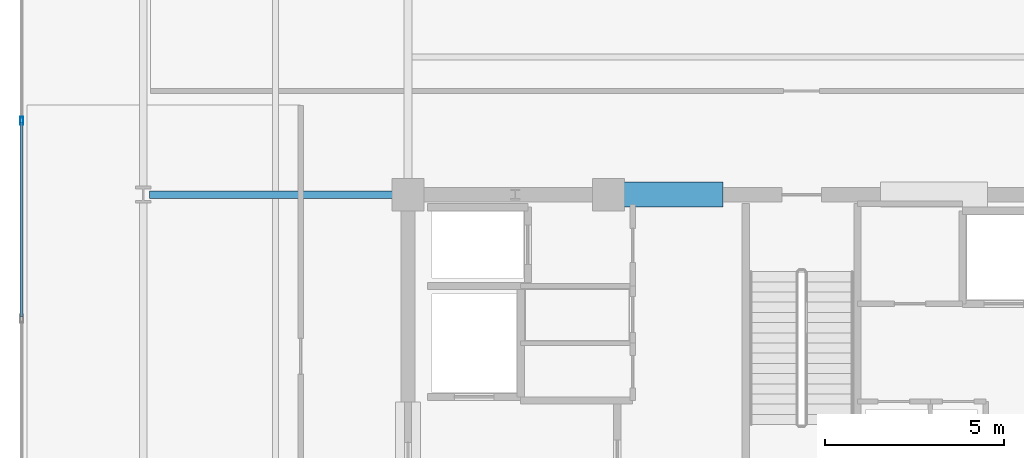
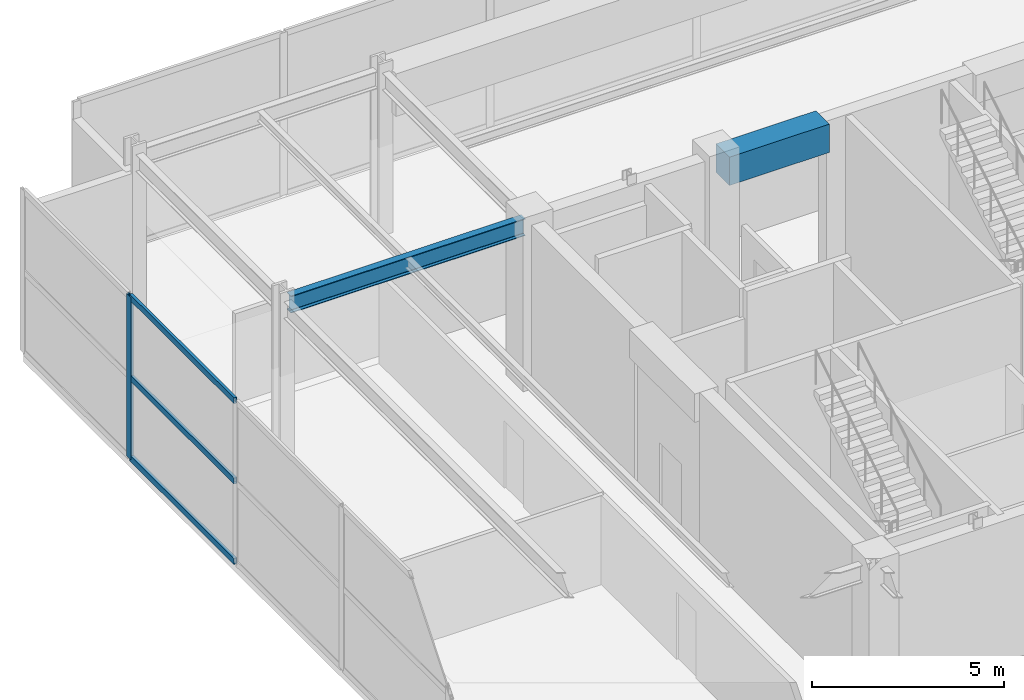
# One storey, part 8 of 24: 4 members, 2 beams, 1 element without a shape of its own.
"""IFC4 building model written with IfcOpenShell, lengths in metres."""

import ifcopenshell
import ifcopenshell.guid

model = None  # the IFC model being written
_history = None  # IfcOwnerHistory: only IFC2X3 demands one
_inside = {}  # id of a spatial element -> (the spatial element, [elements in it])
_under = {}  # id of a project, library or spatial element -> (it, [spatial elements below it])
_declared = {}  # id of a project -> (the project, [libraries it declares])
_typed = {}  # id of a type object -> (the type object, [elements of that type])
_made_of = {}  # id of a material, layer set ... -> (it, [elements and type objects made of it])


def new_model(schema):
    """Start an empty IFC model of exactly this schema.

    Asked for "IFC4X3", IfcOpenShell would pick the latest addendum, in which some entities
    have other attributes; the version numbers below select the first issue.
    IFC2X3 requires an IfcOwnerHistory on every rooted entity: one is made here for all.
    """
    global model, _history
    if schema == "IFC4X3":
        model = ifcopenshell.file(schema_version=(4, 3, 0, 0))
    else:
        model = ifcopenshell.file(schema=schema)
    _inside.clear()
    _under.clear()
    _declared.clear()
    _typed.clear()
    _made_of.clear()
    _history = None
    if model.schema == "IFC2X3":
        org = make("IfcOrganization", Name="unknown")
        user = make(
            "IfcPersonAndOrganization",
            ThePerson=make("IfcPerson", FamilyName="unknown"),
            TheOrganization=org,
        )
        app = make(
            "IfcApplication",
            ApplicationDeveloper=org,
            Version="unknown",
            ApplicationFullName="unknown",
            ApplicationIdentifier="unknown",
        )
        _history = make(
            "IfcOwnerHistory",
            OwningUser=user,
            OwningApplication=app,
            ChangeAction="ADDED",
            CreationDate=0,
        )
    return model


def make(cls, **values):
    """One entity of the class cls with the attributes given. An attribute that is None is left unset."""
    return model.create_entity(
        cls, **{name: value for name, value in values.items() if value is not None}
    )


def rooted(cls, **values):
    """An entity with a GlobalId (a new one), such as an element, a storey or a relation."""
    return make(cls, GlobalId=ifcopenshell.guid.new(), OwnerHistory=_history, **values)


def si_unit(unit_type, name, prefix=None):
    """IfcSIUnit, for example si_unit("LENGTHUNIT", "METRE", prefix="MILLI")."""
    return make("IfcSIUnit", UnitType=unit_type, Prefix=prefix, Name=name)


def assignment(units):
    """IfcUnitAssignment: the units of a project."""
    return None if units is None else make("IfcUnitAssignment", Units=units)


def point(xyz):
    """IfcCartesianPoint."""
    return None if xyz is None else make("IfcCartesianPoint", Coordinates=xyz)


def direction(xyz):
    """IfcDirection."""
    return None if xyz is None else make("IfcDirection", DirectionRatios=xyz)


def frame(location, z_axis=None, x_axis=None):
    """IfcAxis2Placement3D, a coordinate frame: its origin and axes. An axis left out is left unset."""
    return make(
        "IfcAxis2Placement3D",
        Location=point(location),
        Axis=direction(z_axis),
        RefDirection=direction(x_axis),
    )


def frame_2d(location, x_axis=None):
    """IfcAxis2Placement2D, a coordinate frame in the plane: its origin and x axis."""
    return make(
        "IfcAxis2Placement2D", Location=point(location), RefDirection=direction(x_axis)
    )


def origin():
    """The frame at (0, 0, 0) with its axes left unset."""
    return frame((0.0, 0.0, 0.0))


def origin_2d():
    """The frame at (0, 0) in the plane with its x axis left unset."""
    return frame_2d((0.0, 0.0))


def place(relative_to, where):
    """IfcLocalPlacement: puts the frame where relative to a parent placement (None: the world)."""
    return make(
        "IfcLocalPlacement", PlacementRelTo=relative_to, RelativePlacement=where
    )


def context(
    kind, dimensions, precision=None, world=None, true_north=None, identifier=None
):
    """IfcGeometricRepresentationContext, for example the 3D "Model" context."""
    return make(
        "IfcGeometricRepresentationContext",
        ContextIdentifier=identifier,
        ContextType=kind,
        CoordinateSpaceDimension=dimensions,
        Precision=precision,
        WorldCoordinateSystem=world,
        TrueNorth=true_north,
    )


def subcontext(parent, identifier, kind, view, scale=None):
    """IfcGeometricRepresentationSubContext, for example "Body" below "Model"."""
    return make(
        "IfcGeometricRepresentationSubContext",
        ContextIdentifier=identifier,
        ContextType=kind,
        ParentContext=parent,
        TargetScale=scale,
        TargetView=view,
    )


def project(units=None, contexts=None):
    """IfcProject with its units and contexts."""
    return rooted(
        "IfcProject",
        Name="project",
        RepresentationContexts=contexts,
        UnitsInContext=assignment(units),
    )


def spatial(cls, under=None, at=None, **own):
    """A site, building, storey or space (cls), placed at a placement, below another one or the project."""
    s = rooted(cls, ObjectPlacement=at, **own)
    if under is not None:
        _under.setdefault(under.id(), (under, []))[1].append(s)
    return s


def profile(cls, at=None, kind="AREA", **sizes):
    """A parametric profile (cls). Its sizes go by their IFC names, for example OverallWidth=200.0."""
    return make(cls, ProfileType=kind, Position=at, **sizes)


def rectangle(**sizes):
    """IfcRectangleProfileDef."""
    return profile("IfcRectangleProfileDef", **sizes)


def hollow_rectangle(**sizes):
    """IfcRectangleHollowProfileDef."""
    return profile("IfcRectangleHollowProfileDef", **sizes)


def i_section(**sizes):
    """IfcIShapeProfileDef."""
    return profile("IfcIShapeProfileDef", **sizes)


def extrude(swept, where, along, depth):
    """IfcExtrudedAreaSolid: the profile swept, set in the frame where, extruded along a direction by depth."""
    return make(
        "IfcExtrudedAreaSolid",
        SweptArea=swept,
        Position=where,
        ExtrudedDirection=direction(along),
        Depth=depth,
    )


def shape(context_of_items, identifier, shape_type, items):
    """IfcShapeRepresentation: the items that make up one representation, for example the "Body"."""
    return make(
        "IfcShapeRepresentation",
        ContextOfItems=context_of_items,
        RepresentationIdentifier=identifier,
        RepresentationType=shape_type,
        Items=items,
    )


def material(Name=None, Category=None):
    """IfcMaterial."""
    return make("IfcMaterial", Name=Name, Category=Category)


def material_profile(
    of_material, cross_section, Name=None, Category=None, Priority=None
):
    """IfcMaterialProfile: a cross section and its material."""
    return make(
        "IfcMaterialProfile",
        Name=Name,
        Material=of_material,
        Profile=cross_section,
        Priority=Priority,
        Category=Category,
    )


def profile_set(profiles, Name=None, composite=None):
    """IfcMaterialProfileSet."""
    return make(
        "IfcMaterialProfileSet",
        Name=Name,
        MaterialProfiles=profiles,
        CompositeProfile=composite,
    )


def made_of(thing, what):
    """Note that an element or type object is made of a material, layer set ...; save() writes the relation."""
    if what is not None:
        _made_of.setdefault(what.id(), (what, []))[1].append(thing)
    return thing


def type_object(cls, material=None, **own):
    """A type object (cls), such as IfcWallType, which elements share."""
    return made_of(rooted(cls, **own), material)


def element(
    cls,
    number,
    at=None,
    inside=None,
    cuts=None,
    type_object=None,
    material=None,
    context=None,
    identifier="Body",
    shape_type=None,
    held_by="IfcProductDefinitionShape",
    body=None,
    shapes=None,
    **own,
):
    """One element of the class cls, such as IfcWall. Its Tag is "e" and its number.

    at: its placement. inside: the storey or other place that contains it. cuts: it is an
    opening in that element (IfcRelVoidsElement). A single representation is given by context,
    identifier, shape_type and body (its items); several are given by shapes. held_by: the class
    of the entity that holds the representations. save() writes the other relations.
    """
    e = rooted(cls, Tag="e%d" % number, ObjectPlacement=at, **own)
    if body is not None:
        shapes = [shape(context, identifier, shape_type, body)]
    if shapes is not None:
        e.Representation = make(held_by, Representations=shapes)
    if inside is not None:
        _inside.setdefault(inside.id(), (inside, []))[1].append(e)
    if cuts is not None:
        rooted(
            "IfcRelVoidsElement", RelatingBuildingElement=cuts, RelatedOpeningElement=e
        )
    if type_object is not None:
        _typed.setdefault(type_object.id(), (type_object, []))[1].append(e)
    return made_of(e, material)


def aggregate(whole, parts):
    """IfcRelAggregates: a whole, such as a stair, and the parts it consists of."""
    return rooted("IfcRelAggregates", RelatingObject=whole, RelatedObjects=parts)


def save(model, path):
    """Write the relations noted so far, then the file.

    IfcRelAggregates (storeys below a building ...), IfcRelContainedInSpatialStructure (elements
    in a storey), IfcRelDefinesByType, IfcRelAssociatesMaterial and IfcRelDeclares: one each for
    every whole, place, type object, material and project.
    """
    for whole, parts in _under.values():
        aggregate(whole, parts)
    for where, things in _inside.values():
        rooted(
            "IfcRelContainedInSpatialStructure",
            RelatedElements=things,
            RelatingStructure=where,
        )
    for kind, things in _typed.values():
        rooted("IfcRelDefinesByType", RelatedObjects=things, RelatingType=kind)
    for what, things in _made_of.values():
        rooted("IfcRelAssociatesMaterial", RelatedObjects=things, RelatingMaterial=what)
    for by, libraries in _declared.values():
        rooted("IfcRelDeclares", RelatingContext=by, RelatedDefinitions=libraries)
    model.write(path)


model = new_model("IFC4")

# Units and contexts
model_context = context("Model", 3, precision=1e-05, world=origin(), true_north=direction((0.0, 1.0)))
body_context = subcontext(model_context, "Body", "Model", "MODEL_VIEW")
ifc_project = project(units=[si_unit("LENGTHUNIT", "METRE"), si_unit("AREAUNIT", "SQUARE_METRE"), si_unit("VOLUMEUNIT", "CUBIC_METRE"), si_unit("PLANEANGLEUNIT", "RADIAN"), si_unit("MASSUNIT", "GRAM", prefix="KILO")], contexts=[model_context])

# Site, building, storey
site_placement = place(None, origin())
site = spatial("IfcSite", under=ifc_project, at=site_placement, CompositionType="ELEMENT")
building_placement = place(site_placement, origin())
building = spatial("IfcBuilding", under=site, at=building_placement, Name="Kovane Verandah Tower", CompositionType="ELEMENT")
storey_placement = place(building_placement, frame((0.0, 0.0, 348.800048828125)))
storey = spatial("IfcBuildingStorey", under=building, at=storey_placement, Name="L81", CompositionType="ELEMENT", Elevation=348.800048828125)

# Beams
ifc_material_1 = material(Name="Concrete C60/75", Category="concrete")
ifc_material_profile_1 = material_profile(ifc_material_1, rectangle(XDim=0.699951171875, YDim=0.89990234375, at=origin_2d()), Name="RCB700x900")
ifc_profile_set_1 = profile_set([ifc_material_profile_1], Name="Concrete C60/75")
beam_type_1 = type_object("IfcBeamType", Name="BM-LINTEL-700x900", PredefinedType="LINTEL", material=ifc_profile_set_1)
beam_1_placement = place(storey_placement, frame((34.800048828125, 36.5, 4.75), z_axis=(1.0, 0.0, 0.0), x_axis=(0.0, 1.0, 0.0)))
element("IfcBeam", 1, at=beam_1_placement, inside=storey, type_object=beam_type_1, Name="L81 Core Coupling Lintel CL-N1", PredefinedType="LINTEL", context=body_context, shape_type="SweptSolid", body=[
    extrude(rectangle(XDim=0.699951171875, YDim=0.89990234375, at=origin_2d()), origin(), (0.0, 0.0, 1.0), 3.0),
])
ifc_material_2 = material(Name="Steel S355", Category="steel")
ifc_material_profile_2 = material_profile(ifc_material_2, i_section(OverallWidth=0.2119140625, OverallDepth=0.54443359375, WebThickness=0.0126953125, FlangeThickness=0.021240234375, FilletRadius=0.0126953125, at=origin_2d()), Name="UB533x210x122")
ifc_profile_set_2 = profile_set([ifc_material_profile_2], Name="Steel S355")
beam_type_2 = type_object("IfcBeamType", Name="BM-UB533x122", PredefinedType="BEAM", material=ifc_profile_set_2)
beam_2_placement = place(storey_placement, frame((28.820068359375, 36.5, 4.927734375), z_axis=(-1.0, 0.0, 0.0), x_axis=(0.0, -1.0, 0.0)))
element("IfcBeam", 2, at=beam_2_placement, inside=storey, type_object=beam_type_2, Name="L81 Primary Tower Girder G-W2", PredefinedType="BEAM", context=body_context, shape_type="SweptSolid", body=[
    extrude(i_section(OverallWidth=0.2119140625, OverallDepth=0.54443359375, WebThickness=0.0126953125, FlangeThickness=0.021240234375, FilletRadius=0.0126953125, at=origin_2d()), origin(), (0.0, 0.0, 1.0), 7.0400390625),
])

# Curtain wall, members
ifc_material_3 = material(Name="Champagne Anodised Aluminium Frame with Low-E Clear Laminated Glass", Category="aluminium")
curtain_wall_type = type_object("IfcCurtainWallType", Name="CW-SYS-06-CROWN", PredefinedType="NOTDEFINED", material=ifc_material_3)
curtain_wall_placement = place(storey_placement, origin())
curtain_wall = element("IfcCurtainWall", 3, at=curtain_wall_placement, inside=storey, type_object=curtain_wall_type, Name="L81 W Unitised Curtain Wall", PredefinedType="NOTDEFINED")
ifc_material_4 = material(Name="Champagne Anodised Aluminium 6063-T6", Category="aluminium")
ifc_material_profile_3 = material_profile(ifc_material_4, hollow_rectangle(XDim=0.0849609375, YDim=0.22998046875, WallThickness=0.00390625, at=origin_2d()), Name="AL85x230x4")
ifc_profile_set_3 = profile_set([ifc_material_profile_3], Name="Champagne Anodised Aluminium 6063-T6")
member_type_1 = type_object("IfcMemberType", Name="CW-MUL-85x230", PredefinedType="MULLION", material=ifc_profile_set_3)
member_1_placement = place(storey_placement, frame((18.199951171875, 38.566650390625, 0.02001953125), z_axis=(0.0, 0.0, 1.0), x_axis=(-1.0, 0.0, 0.0)))
member_1 = element("IfcMember", 4, at=member_1_placement, type_object=member_type_1, Name="L81 W Unitised Curtain Wall Mullion 2", PredefinedType="MULLION", context=body_context, shape_type="SweptSolid", body=[
    extrude(hollow_rectangle(XDim=0.0849609375, YDim=0.22998046875, WallThickness=0.00390625, at=origin_2d()), origin(), (0.0, 0.0, 1.0), 5.159912109375),
])
ifc_material_profile_4 = material_profile(ifc_material_4, hollow_rectangle(XDim=0.0849609375, YDim=0.18994140625, WallThickness=0.00390625, at=origin_2d()), Name="AL85x190x4")
ifc_profile_set_4 = profile_set([ifc_material_profile_4], Name="Champagne Anodised Aluminium 6063-T6")
member_type_2 = type_object("IfcMemberType", Name="CW-TRN-85x190", PredefinedType="USERDEFINED", material=ifc_profile_set_4)
member_2_placement = place(storey_placement, frame((18.199951171875, 38.5166015625, 0.050048828125), z_axis=(0.0, -1.0, 0.0), x_axis=(1.0, 0.0, 0.0)))
member_2 = element("IfcMember", 5, at=member_2_placement, type_object=member_type_2, Name="L81 W Unitised Curtain Wall Transom TB Bay 2", ObjectType="TRANSOM", PredefinedType="USERDEFINED", context=body_context, shape_type="SweptSolid", body=[
    extrude(hollow_rectangle(XDim=0.0849609375, YDim=0.18994140625, WallThickness=0.00390625, at=origin_2d()), origin(), (0.0, 0.0, 1.0), 5.433349609375),
])
member_3_placement = place(storey_placement, frame((18.199951171875, 38.5166015625, 2.599853515625), z_axis=(0.0, -1.0, 0.0), x_axis=(1.0, 0.0, 0.0)))
member_3 = element("IfcMember", 6, at=member_3_placement, type_object=member_type_2, Name="L81 W Unitised Curtain Wall Transom TM Bay 2", ObjectType="TRANSOM", PredefinedType="USERDEFINED", context=body_context, shape_type="SweptSolid", body=[
    extrude(hollow_rectangle(XDim=0.0849609375, YDim=0.18994140625, WallThickness=0.00390625, at=origin_2d()), origin(), (0.0, 0.0, 1.0), 5.433349609375),
])
member_4_placement = place(storey_placement, frame((18.199951171875, 38.5166015625, 5.14990234375), z_axis=(0.0, -1.0, 0.0), x_axis=(1.0, 0.0, 0.0)))
member_4 = element("IfcMember", 7, at=member_4_placement, type_object=member_type_2, Name="L81 W Unitised Curtain Wall Transom TT Bay 2", ObjectType="TRANSOM", PredefinedType="USERDEFINED", context=body_context, shape_type="SweptSolid", body=[
    extrude(hollow_rectangle(XDim=0.0849609375, YDim=0.18994140625, WallThickness=0.00390625, at=origin_2d()), origin(), (0.0, 0.0, 1.0), 5.433349609375),
])
aggregate(curtain_wall, [member_1, member_2, member_3, member_4])

save(model, "model.ifc")
